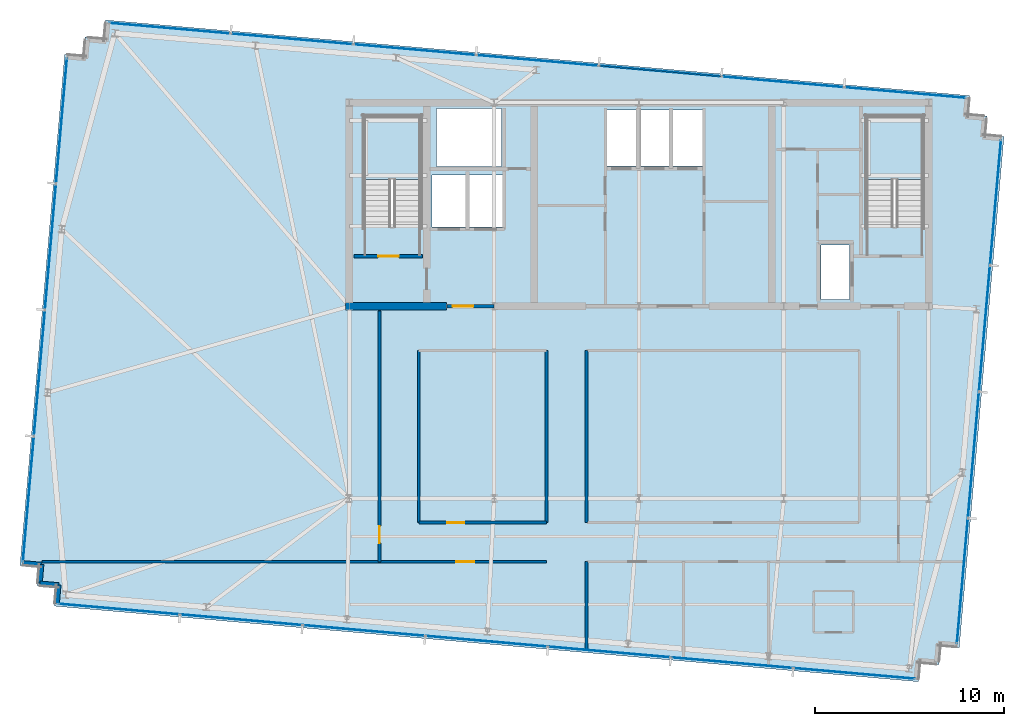
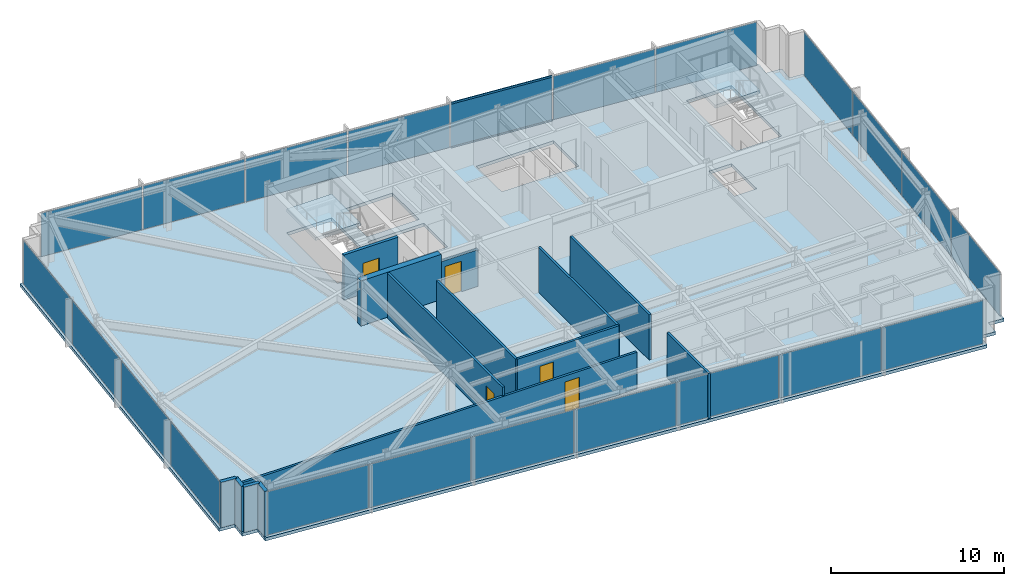
# One storey, part 26 of 32: 22 plates, 14 walls, 5 doors, 3 slabs, 2 members, 5 openings, 6 elements without a shape of their own.
"""IFC4 building model written with IfcOpenShell, lengths in metres."""

from ifc_helpers import new_model, si_unit, direction, frame, frame_2d, origin, origin_2d, place, context, subcontext, project, spatial, polyline, rectangle, hollow_rectangle, outline, extrude, material, layer, layer_set, material_profile, profile_set, type_object, element, fill, aggregate, save


model = new_model("IFC4")

# Units and contexts
model_context = context("Model", 3, precision=1e-05, world=origin(), true_north=direction((0.0, 1.0)))
body_context = subcontext(model_context, "Body", "Model", "MODEL_VIEW")
ifc_project = project(units=[si_unit("LENGTHUNIT", "METRE"), si_unit("AREAUNIT", "SQUARE_METRE"), si_unit("VOLUMEUNIT", "CUBIC_METRE"), si_unit("PLANEANGLEUNIT", "RADIAN"), si_unit("MASSUNIT", "GRAM", prefix="KILO")], contexts=[model_context])

# Site, building, storey
site_placement = place(None, origin())
site = spatial("IfcSite", under=ifc_project, at=site_placement, CompositionType="ELEMENT")
building_placement = place(site_placement, origin())
building = spatial("IfcBuilding", under=site, at=building_placement, Name="Yelkora Congress Tower", CompositionType="ELEMENT")
storey_placement = place(building_placement, frame((0.0, 0.0, 279.5)))
storey = spatial("IfcBuildingStorey", under=building, at=storey_placement, Name="L78", CompositionType="ELEMENT", Elevation=279.5)

# Curtain wall, members
ifc_material_1 = material(Name="Anodised aluminium and insulated glass", Category="aluminium")
curtain_wall_type = type_object("IfcCurtainWallType", Name="CW-SYS-B5", PredefinedType="NOTDEFINED", material=ifc_material_1)
curtain_wall_1_placement = place(storey_placement, origin())
curtain_wall_1 = element("IfcCurtainWall", 1, at=curtain_wall_1_placement, inside=storey, type_object=curtain_wall_type, Name="L78 Unitised Curtain Wall 10", PredefinedType="NOTDEFINED")
ifc_material_2 = material(Name="Anodised aluminium 6063-T6", Category="aluminium")
ifc_material_profile = material_profile(ifc_material_2, hollow_rectangle(XDim=0.06005859375, YDim=0.1298828125, WallThickness=0.00390625, at=origin_2d()), Name="ALU 60x130x4")
ifc_profile_set = profile_set([ifc_material_profile], Name="Anodised aluminium 6063-T6")
member_type = type_object("IfcMemberType", Name="MEM-TR-B5", PredefinedType="USERDEFINED", material=ifc_profile_set)
member_1_placement = place(storey_placement, frame((36.298583984375, 48.14794921875, 0.030029296875), z_axis=(0.996192979814, -0.08717538052, 0.0), x_axis=(0.08717538052, 0.996192979814, 0.0)))
member_1 = element("IfcMember", 2, at=member_1_placement, type_object=member_type, Name="CW-B5 transom 5.1", ObjectType="TRANSOM", PredefinedType="USERDEFINED", context=body_context, shape_type="SweptSolid", body=[
    extrude(hollow_rectangle(XDim=0.06005859375, YDim=0.1298828125, WallThickness=0.00390625, at=origin_2d()), origin(), (0.0, 0.0, 1.0), 6.466552734375),
])
member_2_placement = place(storey_placement, frame((36.298583984375, 48.14794921875, 3.14990234375), z_axis=(0.996192979814, -0.08717538052, 0.0), x_axis=(0.08717538052, 0.996192979814, 0.0)))
member_2 = element("IfcMember", 3, at=member_2_placement, type_object=member_type, Name="CW-B5 transom 5.2", ObjectType="TRANSOM", PredefinedType="USERDEFINED", context=body_context, shape_type="SweptSolid", body=[
    extrude(hollow_rectangle(XDim=0.06005859375, YDim=0.1298828125, WallThickness=0.00390625, at=origin_2d()), origin(), (0.0, 0.0, 1.0), 6.466552734375),
])

# Curtain wall, plates
curtain_wall_2_placement = place(storey_placement, origin())
curtain_wall_2 = element("IfcCurtainWall", 4, at=curtain_wall_2_placement, inside=storey, type_object=curtain_wall_type, Name="L78 Unitised Curtain Wall 5", PredefinedType="NOTDEFINED")
ifc_material_3 = material(Name="High-altitude triple glazed unit B5", Category="glass")
ifc_layer_1 = layer(ifc_material_3, 0.033935546875)
ifc_layer_set_1 = layer_set([ifc_layer_1], Name="High-altitude triple glazed unit B5")
plate_type = type_object("IfcPlateType", Name="PLT-PN-B5", PredefinedType="CURTAIN_PANEL", material=ifc_layer_set_1)
plate_1_placement = place(storey_placement, frame((6.021728515625, 25.16064453125, 0.06005859375), z_axis=(0.0, 0.0, 1.0), x_axis=(0.08715473876, 0.996194785929, 0.0)))
plate_1 = element("IfcPlate", 5, at=plate_1_placement, type_object=plate_type, Name="CW-B5 panel 1.1", PredefinedType="CURTAIN_PANEL", context=body_context, shape_type="SweptSolid", body=[
    extrude(rectangle(XDim=6.632568359375, YDim=0.033935546875, at=origin_2d()), origin(), (0.0, 0.0, 1.0), 3.06005859375),
])
plate_2_placement = place(storey_placement, frame((6.60693359375, 31.848876953125, 0.06005859375), z_axis=(0.0, 0.0, 1.0), x_axis=(0.08715473876, 0.996194785929, 0.0)))
plate_2 = element("IfcPlate", 6, at=plate_2_placement, type_object=plate_type, Name="CW-B5 panel 2.1", PredefinedType="CURTAIN_PANEL", context=body_context, shape_type="SweptSolid", body=[
    extrude(rectangle(XDim=6.6650390625, YDim=0.033935546875, at=origin_2d()), origin(), (0.0, 0.0, 1.0), 3.06005859375),
])
plate_3_placement = place(storey_placement, frame((7.193359375, 38.55322265625, 0.06005859375), z_axis=(0.0, 0.0, 1.0), x_axis=(0.08715473876, 0.996194785929, 0.0)))
plate_3 = element("IfcPlate", 7, at=plate_3_placement, type_object=plate_type, Name="CW-B5 panel 3.1", PredefinedType="CURTAIN_PANEL", context=body_context, shape_type="SweptSolid", body=[
    extrude(rectangle(XDim=6.6650390625, YDim=0.033935546875, at=origin_2d()), origin(), (0.0, 0.0, 1.0), 3.06005859375),
])
plate_4_placement = place(storey_placement, frame((7.778564453125, 45.2412109375, 0.06005859375), z_axis=(0.0, 0.0, 1.0), x_axis=(0.08715473876, 0.996194785929, 0.0)))
plate_4 = element("IfcPlate", 8, at=plate_4_placement, type_object=plate_type, Name="CW-B5 panel 4.1", PredefinedType="CURTAIN_PANEL", context=body_context, shape_type="SweptSolid", body=[
    extrude(rectangle(XDim=6.632568359375, YDim=0.033935546875, at=origin_2d()), origin(), (0.0, 0.0, 1.0), 3.06005859375),
])
aggregate(curtain_wall_2, [plate_1, plate_2, plate_3, plate_4])

# Plate
plate_5_placement = place(storey_placement, frame((13.509521484375, 50.141845703125, 0.06005859375), z_axis=(0.0, 0.0, 1.0), x_axis=(0.996194619601, -0.087156639893, 0.0)))
plate_5 = element("IfcPlate", 9, at=plate_5_placement, type_object=plate_type, Name="CW-B5 panel 1.1", PredefinedType="CURTAIN_PANEL", context=body_context, shape_type="SweptSolid", body=[
    extrude(rectangle(XDim=6.433837890625, YDim=0.033935546875, at=origin_2d()), origin(), (0.0, 0.0, 1.0), 3.06005859375),
])

plate_6_placement = place(storey_placement, frame((19.999755859375, 49.573974609375, 0.06005859375), z_axis=(0.0, 0.0, 1.0), x_axis=(0.996194619601, -0.087156639893, 0.0)))
plate_6 = element("IfcPlate", 10, at=plate_6_placement, type_object=plate_type, Name="CW-B5 panel 2.1", PredefinedType="CURTAIN_PANEL", context=body_context, shape_type="SweptSolid", body=[
    extrude(rectangle(XDim=6.46630859375, YDim=0.033935546875, at=origin_2d()), origin(), (0.0, 0.0, 1.0), 3.06005859375),
])

plate_7_placement = place(storey_placement, frame((26.50634765625, 49.004638671875, 0.06005859375), z_axis=(0.0, 0.0, 1.0), x_axis=(0.996194619601, -0.087156639893, 0.0)))
plate_7 = element("IfcPlate", 11, at=plate_7_placement, type_object=plate_type, Name="CW-B5 panel 3.1", PredefinedType="CURTAIN_PANEL", context=body_context, shape_type="SweptSolid", body=[
    extrude(rectangle(XDim=6.46630859375, YDim=0.033935546875, at=origin_2d()), origin(), (0.0, 0.0, 1.0), 3.06005859375),
])

plate_8_placement = place(storey_placement, frame((33.012939453125, 48.435302734375, 0.06005859375), z_axis=(0.0, 0.0, 1.0), x_axis=(0.996194619601, -0.087156639893, 0.0)))
plate_8 = element("IfcPlate", 12, at=plate_8_placement, type_object=plate_type, Name="CW-B5 panel 4.1", PredefinedType="CURTAIN_PANEL", context=body_context, shape_type="SweptSolid", body=[
    extrude(rectangle(XDim=6.46630859375, YDim=0.033935546875, at=origin_2d()), origin(), (0.0, 0.0, 1.0), 3.06005859375),
])

plate_9_placement = place(storey_placement, frame((39.51953125, 47.8662109375, 0.06005859375), z_axis=(0.0, 0.0, 1.0), x_axis=(0.996194619601, -0.087156639893, 0.0)))
plate_9 = element("IfcPlate", 13, at=plate_9_placement, type_object=plate_type, Name="CW-B5 panel 5.1", PredefinedType="CURTAIN_PANEL", context=body_context, shape_type="SweptSolid", body=[
    extrude(rectangle(XDim=6.46630859375, YDim=0.033935546875, at=origin_2d()), origin(), (0.0, 0.0, 1.0), 3.06005859375),
])

plate_10_placement = place(storey_placement, frame((46.026123046875, 47.296875, 0.06005859375), z_axis=(0.0, 0.0, 1.0), x_axis=(0.996194619601, -0.087156639893, 0.0)))
plate_10 = element("IfcPlate", 14, at=plate_10_placement, type_object=plate_type, Name="CW-B5 panel 6.1", PredefinedType="CURTAIN_PANEL", context=body_context, shape_type="SweptSolid", body=[
    extrude(rectangle(XDim=6.46630859375, YDim=0.033935546875, at=origin_2d()), origin(), (0.0, 0.0, 1.0), 3.06005859375),
])

plate_11_placement = place(storey_placement, frame((52.5166015625, 46.72900390625, 0.06005859375), z_axis=(0.0, 0.0, 1.0), x_axis=(0.996194619601, -0.087156639893, 0.0)))
plate_11 = element("IfcPlate", 15, at=plate_11_placement, type_object=plate_type, Name="CW-B5 panel 7.1", PredefinedType="CURTAIN_PANEL", context=body_context, shape_type="SweptSolid", body=[
    extrude(rectangle(XDim=6.433837890625, YDim=0.033935546875, at=origin_2d()), origin(), (0.0, 0.0, 1.0), 3.06005859375),
])

aggregate(curtain_wall_1, [plate_5, plate_6, plate_7, plate_8, member_1, member_2, plate_9, plate_10, plate_11])

# Curtain wall, plates
curtain_wall_3_placement = place(storey_placement, origin())
curtain_wall_3 = element("IfcCurtainWall", 16, at=curtain_wall_3_placement, inside=storey, type_object=curtain_wall_type, Name="L78 Unitised Curtain Wall 15", PredefinedType="NOTDEFINED")
plate_12_placement = place(storey_placement, frame((57.309326171875, 40.907958984375, 0.06005859375), z_axis=(0.0, 0.0, 1.0), x_axis=(-0.087158425264, -0.996194463398, 0.0)))
plate_12 = element("IfcPlate", 17, at=plate_12_placement, type_object=plate_type, Name="CW-B5 panel 1.1", PredefinedType="CURTAIN_PANEL", context=body_context, shape_type="SweptSolid", body=[
    extrude(rectangle(XDim=6.632568359375, YDim=0.033935546875, at=origin_2d()), origin(), (0.0, 0.0, 1.0), 3.06005859375),
])
plate_13_placement = place(storey_placement, frame((56.72412109375, 34.2197265625, 0.06005859375), z_axis=(0.0, 0.0, 1.0), x_axis=(-0.087158425264, -0.996194463398, 0.0)))
plate_13 = element("IfcPlate", 18, at=plate_13_placement, type_object=plate_type, Name="CW-B5 panel 2.1", PredefinedType="CURTAIN_PANEL", context=body_context, shape_type="SweptSolid", body=[
    extrude(rectangle(XDim=6.6650390625, YDim=0.033935546875, at=origin_2d()), origin(), (0.0, 0.0, 1.0), 3.06005859375),
])
plate_14_placement = place(storey_placement, frame((56.1376953125, 27.515380859375, 0.06005859375), z_axis=(0.0, 0.0, 1.0), x_axis=(-0.087158425264, -0.996194463398, 0.0)))
plate_14 = element("IfcPlate", 19, at=plate_14_placement, type_object=plate_type, Name="CW-B5 panel 3.1", PredefinedType="CURTAIN_PANEL", context=body_context, shape_type="SweptSolid", body=[
    extrude(rectangle(XDim=6.6650390625, YDim=0.033935546875, at=origin_2d()), origin(), (0.0, 0.0, 1.0), 3.06005859375),
])
plate_15_placement = place(storey_placement, frame((55.552490234375, 20.8271484375, 0.06005859375), z_axis=(0.0, 0.0, 1.0), x_axis=(-0.087158425264, -0.996194463398, 0.0)))
plate_15 = element("IfcPlate", 20, at=plate_15_placement, type_object=plate_type, Name="CW-B5 panel 4.1", PredefinedType="CURTAIN_PANEL", context=body_context, shape_type="SweptSolid", body=[
    extrude(rectangle(XDim=6.632568359375, YDim=0.033935546875, at=origin_2d()), origin(), (0.0, 0.0, 1.0), 3.06005859375),
])
aggregate(curtain_wall_3, [plate_12, plate_13, plate_14, plate_15])

curtain_wall_4_placement = place(storey_placement, origin())
curtain_wall_4 = element("IfcCurtainWall", 21, at=curtain_wall_4_placement, inside=storey, type_object=curtain_wall_type, Name="L78 Unitised Curtain Wall 20", PredefinedType="NOTDEFINED")
plate_16_placement = place(storey_placement, frame((49.821533203125, 15.9267578125, 0.06005859375), z_axis=(0.0, 0.0, 1.0), x_axis=(-0.996194602987, 0.087156829793, 0.0)))
plate_16 = element("IfcPlate", 22, at=plate_16_placement, type_object=plate_type, Name="CW-B5 panel 1.1", PredefinedType="CURTAIN_PANEL", context=body_context, shape_type="SweptSolid", body=[
    extrude(rectangle(XDim=6.433837890625, YDim=0.033935546875, at=origin_2d()), origin(), (0.0, 0.0, 1.0), 3.06005859375),
])
plate_17_placement = place(storey_placement, frame((43.331298828125, 16.49462890625, 0.06005859375), z_axis=(0.0, 0.0, 1.0), x_axis=(-0.996194602987, 0.087156829793, 0.0)))
plate_17 = element("IfcPlate", 23, at=plate_17_placement, type_object=plate_type, Name="CW-B5 panel 2.1", PredefinedType="CURTAIN_PANEL", context=body_context, shape_type="SweptSolid", body=[
    extrude(rectangle(XDim=6.46630859375, YDim=0.033935546875, at=origin_2d()), origin(), (0.0, 0.0, 1.0), 3.06005859375),
])
plate_18_placement = place(storey_placement, frame((36.82470703125, 17.06396484375, 0.06005859375), z_axis=(0.0, 0.0, 1.0), x_axis=(-0.996194602987, 0.087156829793, 0.0)))
plate_18 = element("IfcPlate", 24, at=plate_18_placement, type_object=plate_type, Name="CW-B5 panel 3.1", PredefinedType="CURTAIN_PANEL", context=body_context, shape_type="SweptSolid", body=[
    extrude(rectangle(XDim=6.46630859375, YDim=0.033935546875, at=origin_2d()), origin(), (0.0, 0.0, 1.0), 3.06005859375),
])
plate_19_placement = place(storey_placement, frame((30.318115234375, 17.633056640625, 0.06005859375), z_axis=(0.0, 0.0, 1.0), x_axis=(-0.996194602987, 0.087156829793, 0.0)))
plate_19 = element("IfcPlate", 25, at=plate_19_placement, type_object=plate_type, Name="CW-B5 panel 4.1", PredefinedType="CURTAIN_PANEL", context=body_context, shape_type="SweptSolid", body=[
    extrude(rectangle(XDim=6.46630859375, YDim=0.033935546875, at=origin_2d()), origin(), (0.0, 0.0, 1.0), 3.06005859375),
])
plate_20_placement = place(storey_placement, frame((23.8115234375, 18.202392578125, 0.06005859375), z_axis=(0.0, 0.0, 1.0), x_axis=(-0.996194602987, 0.087156829793, 0.0)))
plate_20 = element("IfcPlate", 26, at=plate_20_placement, type_object=plate_type, Name="CW-B5 panel 5.1", PredefinedType="CURTAIN_PANEL", context=body_context, shape_type="SweptSolid", body=[
    extrude(rectangle(XDim=6.46630859375, YDim=0.033935546875, at=origin_2d()), origin(), (0.0, 0.0, 1.0), 3.06005859375),
])
plate_21_placement = place(storey_placement, frame((17.304931640625, 18.771728515625, 0.06005859375), z_axis=(0.0, 0.0, 1.0), x_axis=(-0.996194602987, 0.087156829793, 0.0)))
plate_21 = element("IfcPlate", 27, at=plate_21_placement, type_object=plate_type, Name="CW-B5 panel 6.1", PredefinedType="CURTAIN_PANEL", context=body_context, shape_type="SweptSolid", body=[
    extrude(rectangle(XDim=6.46630859375, YDim=0.033935546875, at=origin_2d()), origin(), (0.0, 0.0, 1.0), 3.06005859375),
])
plate_22_placement = place(storey_placement, frame((10.814697265625, 19.33935546875, 0.06005859375), z_axis=(0.0, 0.0, 1.0), x_axis=(-0.996194602987, 0.087156829793, 0.0)))
plate_22 = element("IfcPlate", 28, at=plate_22_placement, type_object=plate_type, Name="CW-B5 panel 7.1", PredefinedType="CURTAIN_PANEL", context=body_context, shape_type="SweptSolid", body=[
    extrude(rectangle(XDim=6.433837890625, YDim=0.033935546875, at=origin_2d()), origin(), (0.0, 0.0, 1.0), 3.06005859375),
])
aggregate(curtain_wall_4, [plate_16, plate_17, plate_18, plate_19, plate_20, plate_21, plate_22])

# Stair, slab
ifc_material_4 = material(Name="Concrete C40/50", Category="concrete")
stair_type = type_object("IfcStairType", Name="STAIR-HT-1420-R20-170", PredefinedType="HALF_TURN_STAIR", material=ifc_material_4)
stair_1_placement = place(storey_placement, origin())
stair_1 = element("IfcStair", 29, at=stair_1_placement, inside=storey, type_object=stair_type, Name="West Core Protected Exit Stair ST-01 (L78)", PredefinedType="HALF_TURN_STAIR")
ifc_layer_2 = layer(ifc_material_4, 0.219970703125)
ifc_layer_set_2 = layer_set([ifc_layer_2], Name="Concrete C40/50")
slab_type_1 = type_object("IfcSlabType", Name="SLAB-LANDING-220", PredefinedType="LANDING", material=ifc_layer_set_2)
slab_1_placement = place(storey_placement, frame((0.0, 0.0, 1.47998046875)))
slab_1 = element("IfcSlab", 30, at=slab_1_placement, type_object=slab_type_1, Name="ST-01 L78 Half Landing 1", PredefinedType="LANDING", context=body_context, shape_type="SweptSolid", body=[
    extrude(outline(polyline([(26.820068359375, 42.1201171875), (26.820068359375, 45.469970703125), (23.820068359375, 45.469970703125), (23.820068359375, 42.1201171875), (26.820068359375, 42.1201171875)])), origin(), (0.0, 0.0, 1.0), 0.219970703125),
])
aggregate(stair_1, [slab_1])

stair_2_placement = place(storey_placement, origin())
stair_2 = element("IfcStair", 31, at=stair_2_placement, inside=storey, type_object=stair_type, Name="East Core Protected Exit Stair ST-02 (L78)", PredefinedType="HALF_TURN_STAIR")
slab_2_placement = place(storey_placement, frame((0.0, 0.0, 1.47998046875)))
slab_2 = element("IfcSlab", 32, at=slab_2_placement, type_object=slab_type_1, Name="ST-02 L78 Half Landing 1", PredefinedType="LANDING", context=body_context, shape_type="SweptSolid", body=[
    extrude(outline(polyline([(53.4599609375, 42.1201171875), (53.4599609375, 45.469970703125), (50.4599609375, 45.469970703125), (50.4599609375, 42.1201171875), (53.4599609375, 42.1201171875)])), origin(), (0.0, 0.0, 1.0), 0.219970703125),
])
aggregate(stair_2, [slab_2])

# Slab
ifc_layer_3 = layer(ifc_material_4, 0.219970703125)
ifc_layer_set_3 = layer_set([ifc_layer_3], Name="Concrete C40/50")
slab_type_2 = type_object("IfcSlabType", Name="SLAB-TWR-220", PredefinedType="FLOOR", material=ifc_layer_set_3)
slab_3_placement = place(storey_placement, frame((0.0, 0.0, -0.219970703125)))
element("IfcSlab", 33, at=slab_3_placement, inside=storey, type_object=slab_type_2, Name="L78 Structural Floor Slab", PredefinedType="FLOOR", context=body_context, shape_type="SweptSolid", body=[
    extrude(outline(polyline([(7.3935546875, 19.498291015625), (53.218505859375, 15.489013671875), (53.3056640625, 16.485107421875), (54.3017578125, 16.398193359375), (54.388916015625, 17.394287109375), (55.385009765625, 17.30712890625), (57.755859375, 44.403564453125), (56.759521484375, 44.49072265625), (56.8466796875, 45.487060546875), (55.8505859375, 45.57421875), (55.937744140625, 46.5703125), (10.11279296875, 50.57958984375), (10.025634765625, 49.583251953125), (9.029296875, 49.67041015625), (8.942138671875, 48.67431640625), (7.946044921875, 48.761474609375), (5.575439453125, 21.664794921875), (6.571533203125, 21.57763671875), (6.484619140625, 20.58154296875), (7.480712890625, 20.494384765625), (7.3935546875, 19.498291015625)]), holes=[polyline([(23.820068359375, 39.6298828125), (26.820068359375, 39.6298828125), (26.820068359375, 45.469970703125), (23.820068359375, 45.469970703125), (23.820068359375, 39.6298828125)]), polyline([(50.4599609375, 39.6298828125), (53.4599609375, 39.6298828125), (53.4599609375, 45.469970703125), (50.4599609375, 45.469970703125), (50.4599609375, 39.6298828125)]), polyline([(48.050048828125, 35.75), (49.550048828125, 35.75), (49.550048828125, 38.64990234375), (48.050048828125, 38.64990234375), (48.050048828125, 35.75)]), polyline([(36.64990234375, 42.85009765625), (41.800048828125, 42.85009765625), (41.800048828125, 45.800048828125), (36.64990234375, 45.800048828125), (36.64990234375, 42.85009765625)]), polyline([(27.419921875, 39.60009765625), (31.179931640625, 39.60009765625), (31.179931640625, 42.35009765625), (27.419921875, 42.35009765625), (27.419921875, 39.60009765625)]), polyline([(27.64990234375, 42.820068359375), (31.1201171875, 42.820068359375), (31.1201171875, 45.8798828125), (27.64990234375, 45.8798828125), (27.64990234375, 42.820068359375)])]), origin(), (0.0, 0.0, 1.0), 0.219970703125),
])

# Walls
ifc_material_5 = material(Name="Concrete C50/60", Category="concrete")
ifc_layer_4 = layer(ifc_material_5, 0.39990234375)
ifc_layer_set_4 = layer_set([ifc_layer_4], Name="Concrete C50/60")
wall_type_1 = type_object("IfcWallType", Name="WALL-CORE-INT-400", PredefinedType="SHEAR", material=ifc_layer_set_4)
wall_1_placement = place(storey_placement, frame((22.840087890625, 35.39990234375, 0.0), z_axis=(0.0, 0.0, 1.0), x_axis=(1.0, 0.0, 0.0)))
element("IfcWall", 34, at=wall_1_placement, inside=storey, type_object=wall_type_1, Name="L78 Rear Core South-West Shear Wall", PredefinedType="SHEAR", context=body_context, shape_type="SweptSolid", body=[
    extrude(rectangle(XDim=5.35986328125, YDim=0.39990234375, at=frame_2d((2.679931640625, 0.0))), origin(), (0.0, 0.0, 1.0), 3.179931640625),
])
ifc_layer_5 = layer(ifc_material_4, 0.239990234375)
ifc_layer_set_5 = layer_set([ifc_layer_5], Name="Concrete C40/50")
wall_type_2 = type_object("IfcWallType", Name="WALL-EXT-LIMESTONE-240", PredefinedType="SOLIDWALL", material=ifc_layer_set_5)
for number, where, z_axis, x_axis, name in (
    (35, (7.545166015625, 19.62548828125, 0.0), (0.0, 0.0, 1.0), (0.087166950281, 0.996193717496, 0.0), "L78 Serrated Corner Limestone Pier 1"),
    (36, (7.63232421875, 20.62158203125, 0.0), (0.0, 0.0, 1.0), (-0.996193717496, 0.087166950281, 0.0), "L78 Serrated Corner Limestone Pier 2"),
):
    element("IfcWall", number, at=place(storey_placement, frame(where, z_axis=z_axis, x_axis=x_axis)), inside=storey, type_object=wall_type_2, Name=name, PredefinedType="SOLIDWALL", context=body_context, shape_type="SweptSolid", body=[
        extrude(rectangle(XDim=1.0, YDim=0.239990234375, at=frame_2d((0.5, 0.0))), origin(), (0.0, 0.0, 1.0), 3.179931640625),
    ])
for number, where, z_axis, x_axis, name in (
    (37, (6.63623046875, 20.708740234375, 0.0), (0.0, 0.0, 1.0), (0.087145753297, 0.996195572005, 0.0), "L78 Serrated Corner Limestone Pier 3"),
    (38, (6.723388671875, 21.705078125, 0.0), (0.0, 0.0, 1.0), (-0.996195572005, 0.087145753297, 0.0), "L78 Serrated Corner Limestone Pier 4"),
):
    element("IfcWall", number, at=place(storey_placement, frame(where, z_axis=z_axis, x_axis=x_axis)), inside=storey, type_object=wall_type_2, Name=name, PredefinedType="SOLIDWALL", context=body_context, shape_type="SweptSolid", body=[
        extrude(rectangle(XDim=1.000244140625, YDim=0.239990234375, at=frame_2d((0.5, 0.0))), origin(), (0.0, 0.0, 1.0), 3.179931640625),
    ])

# Wall, opening, door
ifc_material_6 = material(Name="Acoustic metal-stud gypsum partition", Category="gypsum")
ifc_layer_6 = layer(ifc_material_6, 0.14990234375)
ifc_layer_set_6 = layer_set([ifc_layer_6], Name="Acoustic metal-stud gypsum partition")
wall_type_3 = type_object("IfcWallType", Name="WALL-INT-150-NR", PredefinedType="PARTITIONING", material=ifc_layer_set_6)
wall_2_placement = place(storey_placement, frame((24.639892578125, 21.85009765625, 0.0), z_axis=(0.0, 0.0, 1.0), x_axis=(0.0, 1.0, 0.0)))
wall_2 = element("IfcWall", 39, at=wall_2_placement, inside=storey, type_object=wall_type_3, Name="L78 Partition Wall 32", PredefinedType="PARTITIONING", context=body_context, shape_type="SweptSolid", body=[
    extrude(rectangle(XDim=13.289794921875, YDim=0.14990234375, at=frame_2d((6.64501953125, 0.0))), origin(), (0.0, 0.0, 1.0), 3.179931640625),
])
opening_1_placement = place(wall_2_placement, frame((0.984375, 0.0, 0.0)))
opening_1 = element("IfcOpeningElement", 40, at=opening_1_placement, cuts=wall_2, Name="Opening DR-090N", PredefinedType="OPENING", context=body_context, shape_type="SweptSolid", body=[
    extrude(rectangle(XDim=0.89990234375, YDim=2.14990234375, at=frame_2d((0.449951171875, 1.074951171875))), frame((0.0, 0.0849609375, 0.0), z_axis=(0.0, -1.0, 0.0), x_axis=(1.0, 0.0, 0.0)), (0.0, 0.0, 1.0), 0.169921875),
])
ifc_material_7 = material(Name="Moisture-resistant laminate door leaf", Category="wood")
door_type_1 = type_object("IfcDoorType", Name="DOOR-INT-900", OperationType="NOTDEFINED", PredefinedType="DOOR", material=ifc_material_7)
door_1_placement = place(opening_1_placement, origin())
door_1 = element("IfcDoor", 41, at=door_1_placement, inside=storey, type_object=door_type_1, Name="L78 W Wing Door", OperationType="SINGLE_SWING_LEFT", OverallHeight=2.14990234375, OverallWidth=0.89990234375, PredefinedType="DOOR", context=body_context, shape_type="SweptSolid", body=[
    extrude(rectangle(XDim=0.89990234375, YDim=2.14990234375, at=frame_2d((0.449951171875, 1.074951171875))), frame((0.0, 0.02490234375, 0.0), z_axis=(0.0, -1.0, 0.0), x_axis=(1.0, 0.0, 0.0)), (0.0, 0.0, 1.0), 0.050048828125),
])
fill(opening_1, door_1)

# Walls
for number, where, z_axis, x_axis, name in (
    (42, (26.719970703125, 23.929931640625, 0.0), (0.0, 0.0, 1.0), (0.0, 1.0, 0.0), "L78 Partition Wall 34"),
    (43, (33.5, 23.929931640625, 0.0), (0.0, 0.0, 1.0), (0.0, 1.0, 0.0), "L78 Partition Wall 36"),
    (44, (35.6201171875, 23.929931640625, 0.0), (0.0, 0.0, 1.0), (0.0, 1.0, 0.0), "L78 Partition Wall 37"),
):
    element("IfcWall", number, at=place(storey_placement, frame(where, z_axis=z_axis, x_axis=x_axis)), inside=storey, type_object=wall_type_3, Name=name, PredefinedType="PARTITIONING", context=body_context, shape_type="SweptSolid", body=[
        extrude(rectangle(XDim=9.1201171875, YDim=0.14990234375, at=frame_2d((4.56005859375, 0.0))), origin(), (0.0, 0.0, 1.0), 3.179931640625),
    ])

# Wall, opening, door
wall_3_placement = place(storey_placement, frame((26.739990234375, 23.929931640625, 0.0), z_axis=(0.0, 0.0, 1.0), x_axis=(1.0, 0.0, 0.0)))
wall_3 = element("IfcWall", 45, at=wall_3_placement, inside=storey, type_object=wall_type_3, Name="L78 Partition Wall 40", PredefinedType="PARTITIONING", context=body_context, shape_type="SweptSolid", body=[
    extrude(rectangle(XDim=6.75, YDim=0.14990234375, at=frame_2d((3.375, 0.0))), origin(), (0.0, 0.0, 1.0), 3.179931640625),
])
opening_2_placement = place(wall_3_placement, frame((1.503173828125, 0.0, 0.0)))
opening_2 = element("IfcOpeningElement", 46, at=opening_2_placement, cuts=wall_3, Name="Opening DR-090N", PredefinedType="OPENING", context=body_context, shape_type="SweptSolid", body=[
    extrude(rectangle(XDim=0.89990234375, YDim=2.14990234375, at=frame_2d((0.449951171875, 1.074951171875))), frame((0.0, 0.0849609375, 0.0), z_axis=(0.0, -1.0, 0.0), x_axis=(1.0, 0.0, 0.0)), (0.0, 0.0, 1.0), 0.169921875),
])
door_2_placement = place(opening_2_placement, origin())
door_2 = element("IfcDoor", 47, at=door_2_placement, inside=storey, type_object=door_type_1, Name="L78 Housekeeping & Linen Room Door", OperationType="SINGLE_SWING_LEFT", OverallHeight=2.14990234375, OverallWidth=0.89990234375, PredefinedType="DOOR", context=body_context, shape_type="SweptSolid", body=[
    extrude(rectangle(XDim=0.89990234375, YDim=2.14990234375, at=frame_2d((0.449951171875, 1.074951171875))), frame((0.0, 0.02490234375, 0.0), z_axis=(0.0, -1.0, 0.0), x_axis=(1.0, 0.0, 0.0)), (0.0, 0.0, 1.0), 0.050048828125),
])
fill(opening_2, door_2)

# Wall
ifc_material_8 = material(Name="Twin-stud fire-rated gypsum partition", Category="gypsum")
ifc_layer_7 = layer(ifc_material_8, 0.14990234375)
ifc_layer_set_7 = layer_set([ifc_layer_7], Name="Twin-stud fire-rated gypsum partition")
wall_type_4 = type_object("IfcWallType", Name="WALL-INT-150-R60", PredefinedType="PARTITIONING", material=ifc_layer_set_7)
wall_4_placement = place(storey_placement, frame((35.6201171875, 17.10888671875, 0.0), z_axis=(0.0, 0.0, 1.0), x_axis=(0.0, 1.0, 0.0)))
element("IfcWall", 48, at=wall_4_placement, inside=storey, type_object=wall_type_4, Name="L78 Partition Wall 23", PredefinedType="PARTITIONING", context=body_context, shape_type="SweptSolid", body=[
    extrude(rectangle(XDim=4.76123046875, YDim=0.14990234375, at=frame_2d((2.380615234375, 0.0))), origin(), (0.0, 0.0, 1.0), 3.179931640625),
])

# Wall, opening, door
wall_5_placement = place(storey_placement, frame((6.739990234375, 21.85009765625, 0.0), z_axis=(0.0, 0.0, 1.0), x_axis=(1.0, 0.0, 0.0)))
wall_5 = element("IfcWall", 49, at=wall_5_placement, inside=storey, type_object=wall_type_4, Name="L78 South Spine Wall West", PredefinedType="PARTITIONING", context=body_context, shape_type="SweptSolid", body=[
    extrude(rectangle(XDim=26.760009765625, YDim=0.14990234375, at=frame_2d((13.3798828125, 0.0))), origin(), (0.0, 0.0, 1.0), 2.574951171875),
])
opening_3_placement = place(wall_5_placement, frame((21.965087890625, 0.0, 0.0)))
opening_3 = element("IfcOpeningElement", 50, at=opening_3_placement, cuts=wall_5, Name="Opening DR-095F6", PredefinedType="OPENING", context=body_context, shape_type="SweptSolid", body=[
    extrude(rectangle(XDim=0.949951171875, YDim=2.14990234375, at=frame_2d((0.47509765625, 1.074951171875))), frame((0.0, 0.0849609375, 0.0), z_axis=(0.0, -1.0, 0.0), x_axis=(1.0, 0.0, 0.0)), (0.0, 0.0, 1.0), 0.169921875),
])
ifc_material_9 = material(Name="Acoustic oak-veneer fire door leaf", Category="wood")
door_type_2 = type_object("IfcDoorType", Name="DOOR-FD60-950", OperationType="NOTDEFINED", PredefinedType="DOOR", material=ifc_material_9)
door_3_placement = place(opening_3_placement, origin())
door_3 = element("IfcDoor", 51, at=door_3_placement, inside=storey, type_object=door_type_2, Name="L78 VIP Hospitality Lounge Entry Door", OperationType="SINGLE_SWING_LEFT", OverallHeight=2.14990234375, OverallWidth=0.949951171875, PredefinedType="DOOR", context=body_context, shape_type="SweptSolid", body=[
    extrude(rectangle(XDim=0.949951171875, YDim=2.14990234375, at=frame_2d((0.47509765625, 1.074951171875))), frame((0.0, 0.02490234375, 0.0), z_axis=(0.0, -1.0, 0.0), x_axis=(1.0, 0.0, 0.0)), (0.0, 0.0, 1.0), 0.050048828125),
])
fill(opening_3, door_3)

ifc_material_10 = material(Name="Autoclaved aerated concrete blockwork", Category="masonry")
ifc_layer_8 = layer(ifc_material_10, 0.199951171875)
ifc_layer_set_8 = layer_set([ifc_layer_8], Name="Autoclaved aerated concrete blockwork")
wall_type_5 = type_object("IfcWallType", Name="WALL-INT-200-R120", PredefinedType="PARTITIONING", material=ifc_layer_set_8)
wall_6_placement = place(storey_placement, frame((23.300048828125, 38.050048828125, 0.0), z_axis=(0.0, 0.0, 1.0), x_axis=(1.0, 0.0, 0.0)))
wall_6 = element("IfcWall", 52, at=wall_6_placement, inside=storey, type_object=wall_type_5, Name="L78 Stair ST-01 Enclosure Wall", PredefinedType="PARTITIONING", context=body_context, shape_type="SweptSolid", body=[
    extrude(rectangle(XDim=3.619873046875, YDim=0.199951171875, at=frame_2d((1.81005859375, 0.0))), origin(), (0.0, 0.0, 1.0), 3.179931640625),
])
opening_4_placement = place(wall_6_placement, frame((1.260009765625, 0.0, 0.0)))
opening_4 = element("IfcOpeningElement", 53, at=opening_4_placement, cuts=wall_6, Name="Opening DR-110F9", PredefinedType="OPENING", context=body_context, shape_type="SweptSolid", body=[
    extrude(rectangle(XDim=1.10009765625, YDim=2.14990234375, at=frame_2d((0.550048828125, 1.074951171875))), frame((0.0, 0.10986328125, 0.0), z_axis=(0.0, -1.0, 0.0), x_axis=(1.0, 0.0, 0.0)), (0.0, 0.0, 1.0), 0.219970703125),
])
ifc_material_11 = material(Name="Galvanised steel fire door leaf", Category="steel")
door_type_3 = type_object("IfcDoorType", Name="DOOR-FD90-1100", OperationType="NOTDEFINED", PredefinedType="DOOR", material=ifc_material_11)
door_4_placement = place(opening_4_placement, origin())
door_4 = element("IfcDoor", 54, at=door_4_placement, inside=storey, type_object=door_type_3, Name="L78 Stair ST-01 Entry Door", OperationType="SINGLE_SWING_LEFT", OverallHeight=2.14990234375, OverallWidth=1.10009765625, PredefinedType="DOOR", context=body_context, shape_type="SweptSolid", body=[
    extrude(rectangle(XDim=1.10009765625, YDim=2.14990234375, at=frame_2d((0.550048828125, 1.074951171875))), frame((0.0, 0.02490234375, 0.0), z_axis=(0.0, -1.0, 0.0), x_axis=(1.0, 0.0, 0.0)), (0.0, 0.0, 1.0), 0.050048828125),
])
fill(opening_4, door_4)

wall_7_placement = place(storey_placement, frame((28.219970703125, 35.39990234375, 0.0), z_axis=(0.0, 0.0, 1.0), x_axis=(1.0, 0.0, 0.0)))
wall_7 = element("IfcWall", 55, at=wall_7_placement, inside=storey, type_object=wall_type_5, Name="L78 Firefighting Lobby South Wall", PredefinedType="PARTITIONING", context=body_context, shape_type="SweptSolid", body=[
    extrude(rectangle(XDim=2.5, YDim=0.199951171875, at=frame_2d((1.25, 0.0))), origin(), (0.0, 0.0, 1.0), 2.574951171875),
])
opening_5_placement = place(wall_7_placement, frame((0.300048828125, 0.0, 0.0)))
opening_5 = element("IfcOpeningElement", 56, at=opening_5_placement, cuts=wall_7, Name="Opening DR-110F9", PredefinedType="OPENING", context=body_context, shape_type="SweptSolid", body=[
    extrude(rectangle(XDim=1.10009765625, YDim=2.14990234375, at=frame_2d((0.550048828125, 1.074951171875))), frame((0.0, 0.10986328125, 0.0), z_axis=(0.0, -1.0, 0.0), x_axis=(1.0, 0.0, 0.0)), (0.0, 0.0, 1.0), 0.219970703125),
])
door_5_placement = place(opening_5_placement, origin())
door_5 = element("IfcDoor", 57, at=door_5_placement, inside=storey, type_object=door_type_3, Name="L78 Firefighting Lobby Corridor Door", OperationType="SINGLE_SWING_RIGHT", OverallHeight=2.14990234375, OverallWidth=1.10009765625, PredefinedType="DOOR", context=body_context, shape_type="SweptSolid", body=[
    extrude(rectangle(XDim=1.10009765625, YDim=2.14990234375, at=frame_2d((0.550048828125, 1.074951171875))), frame((0.0, 0.02490234375, 0.0), z_axis=(0.0, -1.0, 0.0), x_axis=(1.0, 0.0, 0.0)), (0.0, 0.0, 1.0), 0.050048828125),
])
fill(opening_5, door_5)

save(model, "model.ifc")
